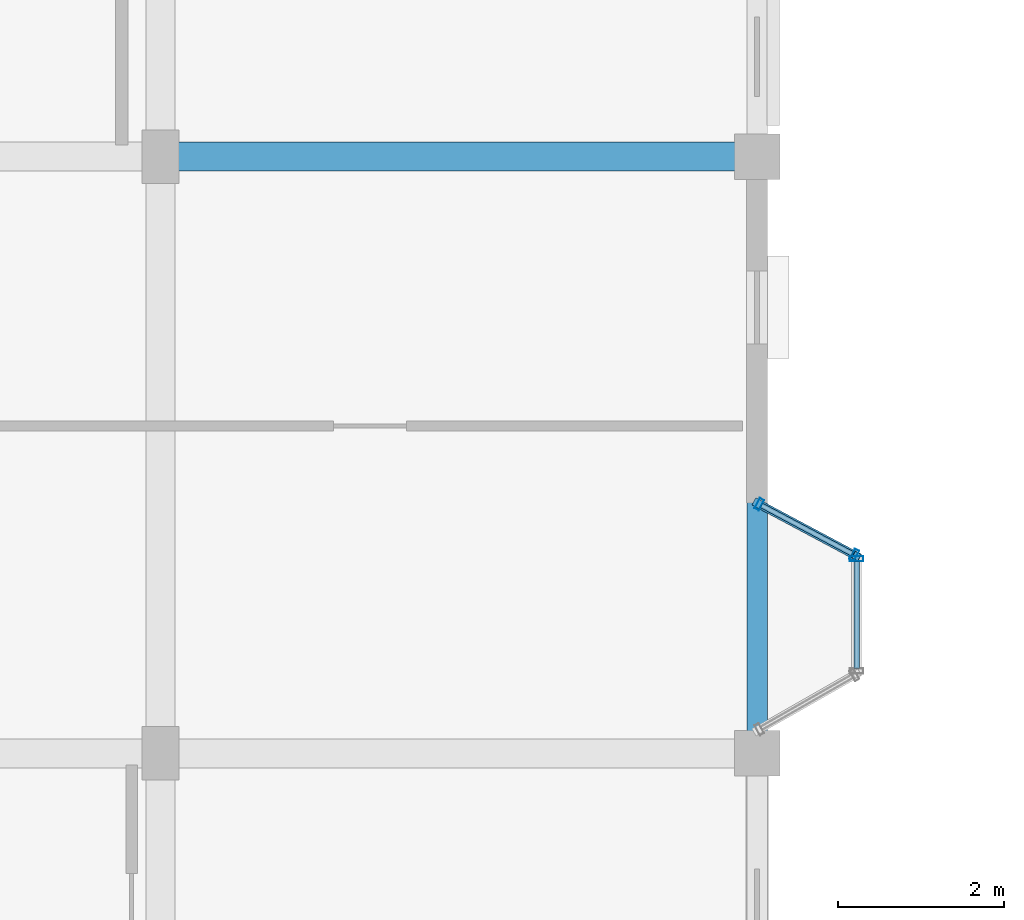
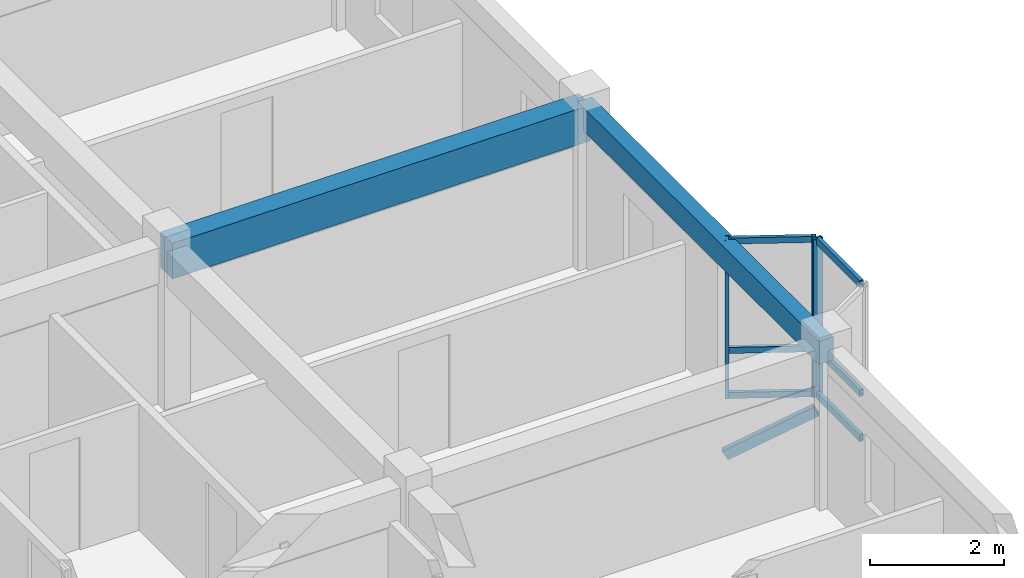
# One storey, part 11 of 77: 10 members, 2 beams, 2 elements without a shape of their own.
"""IFC4 building model written with IfcOpenShell, lengths in metres."""

from ifc_helpers import new_model, si_unit, direction, frame, origin, origin_2d, place, context, subcontext, project, spatial, rectangle, hollow_rectangle, extrude, material, layer, layer_set, material_profile, profile_set, type_object, element, aggregate, save


model = new_model("IFC4")

# Units and contexts
model_context = context("Model", 3, precision=1e-05, world=origin(), true_north=direction((0.0, 1.0)))
body_context = subcontext(model_context, "Body", "Model", "MODEL_VIEW")
ifc_project = project(units=[si_unit("LENGTHUNIT", "METRE"), si_unit("AREAUNIT", "SQUARE_METRE"), si_unit("VOLUMEUNIT", "CUBIC_METRE"), si_unit("PLANEANGLEUNIT", "RADIAN"), si_unit("MASSUNIT", "GRAM", prefix="KILO"), si_unit("THERMODYNAMICTEMPERATUREUNIT", "KELVIN"), si_unit("POWERUNIT", "WATT")], contexts=[model_context])

# Site, building, storey
site_placement = place(None, origin())
site = spatial("IfcSite", under=ifc_project, at=site_placement, CompositionType="ELEMENT")
building_placement = place(site_placement, origin())
building = spatial("IfcBuilding", under=site, at=building_placement, Name="Tavuni Mirador Residences", CompositionType="ELEMENT")
storey_placement = place(building_placement, frame((0.0, 0.0, 10.800048828125)))
storey = spatial("IfcBuildingStorey", under=building, at=storey_placement, Name="L03", CompositionType="ELEMENT", Elevation=10.800048828125)

# Beams
ifc_material_1 = material(Name="Precast concrete C40/50", Category="concrete")
ifc_material_profile_1 = material_profile(ifc_material_1, rectangle(XDim=0.35009765625, YDim=0.64990234375, at=origin_2d()), Name="PC 350x650", Category="concrete")
ifc_profile_set_1 = profile_set([ifc_material_profile_1], Name="Precast concrete C40/50")
beam_type_1 = type_object("IfcBeamType", Name="BT-B650", PredefinedType="BEAM", material=ifc_profile_set_1)
beam_1_placement = place(storey_placement, frame((25.199951171875, 28.800048828125, 2.544921875), z_axis=(1.0, 0.0, 0.0), x_axis=(0.0, 1.0, 0.0)))
element("IfcBeam", 1, at=beam_1_placement, inside=storey, type_object=beam_type_1, Name="BMX-BLK-A-L03-03-03", PredefinedType="BEAM", context=body_context, shape_type="SweptSolid", body=[
    extrude(rectangle(XDim=0.35009765625, YDim=0.64990234375, at=origin_2d()), origin(), (0.0, 0.0, 1.0), 7.199951171875),
])
ifc_material_profile_2 = material_profile(ifc_material_1, rectangle(XDim=0.25, YDim=0.419921875, at=origin_2d()), Name="PC 250x420", Category="concrete")
ifc_profile_set_2 = profile_set([ifc_material_profile_2], Name="Precast concrete C40/50")
beam_type_2 = type_object("IfcBeamType", Name="BT-SP420", PredefinedType="SPANDREL", material=ifc_profile_set_2)
beam_2_placement = place(storey_placement, frame((32.39990234375, 21.60009765625, 2.659912109375), z_axis=(0.0, 1.0, 0.0), x_axis=(-1.0, 0.0, 0.0)))
element("IfcBeam", 2, at=beam_2_placement, inside=storey, type_object=beam_type_2, Name="BMY-BLK-A-L03-04-02", PredefinedType="SPANDREL", context=body_context, shape_type="SweptSolid", body=[
    extrude(rectangle(XDim=0.25, YDim=0.419921875, at=origin_2d()), origin(), (0.0, 0.0, 1.0), 7.199951171875),
])

# Curtain wall, members
ifc_material_2 = material(Name="Anodised aluminium", Category="aluminium")
ifc_layer_1 = layer(ifc_material_2, 0.175048828125, Name="Anodised aluminium", Category="aluminium")
ifc_layer_set_1 = layer_set([ifc_layer_1], Name="Anodised aluminium")
curtain_wall_type_1 = type_object("IfcCurtainWallType", Name="CWT-MIR-C", PredefinedType="NOTDEFINED", material=ifc_layer_set_1)
curtain_wall_1_placement = place(storey_placement, origin())
curtain_wall_1 = element("IfcCurtainWall", 3, at=curtain_wall_1_placement, inside=storey, type_object=curtain_wall_type_1, Name="CW-MIR-A-E2-L03-M2", PredefinedType="NOTDEFINED")
ifc_material_profile_3 = material_profile(ifc_material_2, hollow_rectangle(XDim=0.06005859375, YDim=0.139892578125, WallThickness=0.00390625, at=origin_2d()), Name="ALU 60x140x4.0", Category="aluminium")
ifc_profile_set_3 = profile_set([ifc_material_profile_3], Name="Anodised aluminium")
member_type_1 = type_object("IfcMemberType", Name="CWM-140", PredefinedType="MULLION", material=ifc_profile_set_3)
member_1_placement = place(storey_placement, frame((33.573486328125, 23.994140625, 0.0), z_axis=(0.0, 0.0, 1.0), x_axis=(-0.882352941175, 0.470588235296, 0.0)))
member_1 = element("IfcMember", 4, at=member_1_placement, type_object=member_type_1, Name="CW-03 mullion 1", PredefinedType="MULLION", context=body_context, shape_type="SweptSolid", body=[
    extrude(hollow_rectangle(XDim=0.06005859375, YDim=0.139892578125, WallThickness=0.00390625, at=origin_2d()), origin(), (0.0, 0.0, 1.0), 2.869873046875),
])
member_2_placement = place(storey_placement, frame((32.426513671875, 24.60595703125, 0.0), z_axis=(0.0, 0.0, 1.0), x_axis=(-0.882352941175, 0.470588235296, 0.0)))
member_2 = element("IfcMember", 5, at=member_2_placement, type_object=member_type_1, Name="CW-03 mullion 2", PredefinedType="MULLION", context=body_context, shape_type="SweptSolid", body=[
    extrude(hollow_rectangle(XDim=0.06005859375, YDim=0.139892578125, WallThickness=0.00390625, at=origin_2d()), origin(), (0.0, 0.0, 1.0), 2.869873046875),
])

# Curtain wall, member
ifc_layer_2 = layer(ifc_material_2, 0.14990234375, Name="Anodised aluminium", Category="aluminium")
ifc_layer_set_2 = layer_set([ifc_layer_2], Name="Anodised aluminium")
curtain_wall_type_2 = type_object("IfcCurtainWallType", Name="CWT-MIR-B", PredefinedType="NOTDEFINED", material=ifc_layer_set_2)
curtain_wall_2_placement = place(storey_placement, origin())
curtain_wall_2 = element("IfcCurtainWall", 6, at=curtain_wall_2_placement, inside=storey, type_object=curtain_wall_type_2, Name="CW-MIR-A-E2-L03-MF", PredefinedType="NOTDEFINED")
ifc_material_profile_4 = material_profile(ifc_material_2, hollow_rectangle(XDim=0.06494140625, YDim=0.1650390625, WallThickness=0.00439453125, at=origin_2d()), Name="ALU 65x165x4.5", Category="aluminium")
ifc_profile_set_4 = profile_set([ifc_material_profile_4], Name="Anodised aluminium")
member_type_2 = type_object("IfcMemberType", Name="CWM-165", PredefinedType="MULLION", material=ifc_profile_set_4)
member_3_placement = place(storey_placement, frame((33.60009765625, 23.947509765625, 0.0), z_axis=(0.0, 0.0, 1.0), x_axis=(0.0, 1.0, 0.0)))
member_3 = element("IfcMember", 7, at=member_3_placement, type_object=member_type_2, Name="CW-02 mullion 2", PredefinedType="MULLION", context=body_context, shape_type="SweptSolid", body=[
    extrude(hollow_rectangle(XDim=0.06494140625, YDim=0.1650390625, WallThickness=0.00439453125, at=origin_2d()), origin(), (0.0, 0.0, 1.0), 2.869873046875),
])

# Member
ifc_material_profile_5 = material_profile(ifc_material_2, hollow_rectangle(XDim=0.06005859375, YDim=0.110107421875, WallThickness=0.00390625, at=origin_2d()), Name="ALU 60x110x4.0", Category="aluminium")
ifc_profile_set_5 = profile_set([ifc_material_profile_5], Name="Anodised aluminium")
member_type_3 = type_object("IfcMemberType", Name="CWT-110", PredefinedType="USERDEFINED", material=ifc_profile_set_5)
member_4_placement = place(storey_placement, frame((33.547119140625, 24.00830078125, 0.030029296875), z_axis=(-0.882385637708, 0.470526924168, 0.0), x_axis=(-0.470526924168, -0.882385637708, 0.0)))
member_4 = element("IfcMember", 8, at=member_4_placement, type_object=member_type_3, Name="CW-03 transom 1.1", ObjectType="TRANSOM", PredefinedType="USERDEFINED", context=body_context, shape_type="SweptSolid", body=[
    extrude(hollow_rectangle(XDim=0.06005859375, YDim=0.110107421875, WallThickness=0.00390625, at=origin_2d()), origin(), (0.0, 0.0, 1.0), 1.239990234375),
])

member_5_placement = place(storey_placement, frame((33.547119140625, 24.00830078125, 0.849853515625), z_axis=(-0.882385637708, 0.470526924168, 0.0), x_axis=(-0.470526924168, -0.882385637708, 0.0)))
member_5 = element("IfcMember", 9, at=member_5_placement, type_object=member_type_3, Name="CW-03 transom 1.2", ObjectType="TRANSOM", PredefinedType="USERDEFINED", context=body_context, shape_type="SweptSolid", body=[
    extrude(hollow_rectangle(XDim=0.06005859375, YDim=0.110107421875, WallThickness=0.00390625, at=origin_2d()), origin(), (0.0, 0.0, 1.0), 1.239990234375),
])

member_6_placement = place(storey_placement, frame((33.547119140625, 24.00830078125, 2.83984375), z_axis=(-0.882385637708, 0.470526924168, 0.0), x_axis=(-0.470526924168, -0.882385637708, 0.0)))
member_6 = element("IfcMember", 10, at=member_6_placement, type_object=member_type_3, Name="CW-03 transom 1.3", ObjectType="TRANSOM", PredefinedType="USERDEFINED", context=body_context, shape_type="SweptSolid", body=[
    extrude(hollow_rectangle(XDim=0.06005859375, YDim=0.110107421875, WallThickness=0.00390625, at=origin_2d()), origin(), (0.0, 0.0, 1.0), 1.239990234375),
])

aggregate(curtain_wall_1, [member_1, member_2, member_4, member_5, member_6])

ifc_material_profile_6 = material_profile(ifc_material_2, hollow_rectangle(XDim=0.06494140625, YDim=0.125, WallThickness=0.00439453125, at=origin_2d()), Name="ALU 65x125x4.5", Category="aluminium")
ifc_profile_set_6 = profile_set([ifc_material_profile_6], Name="Anodised aluminium")
member_type_4 = type_object("IfcMemberType", Name="CWT-125", PredefinedType="USERDEFINED", material=ifc_profile_set_6)
member_7_placement = place(storey_placement, frame((33.60009765625, 22.625, 0.032470703125), z_axis=(0.0, 1.0, 0.0), x_axis=(-1.0, 0.0, 0.0)))
member_7 = element("IfcMember", 11, at=member_7_placement, type_object=member_type_4, Name="CW-02 transom 1.1", ObjectType="TRANSOM", PredefinedType="USERDEFINED", context=body_context, shape_type="SweptSolid", body=[
    extrude(hollow_rectangle(XDim=0.06494140625, YDim=0.125, WallThickness=0.00439453125, at=origin_2d()), origin(), (0.0, 0.0, 1.0), 1.2900390625),
])

member_8_placement = place(storey_placement, frame((33.60009765625, 22.625, 0.849853515625), z_axis=(0.0, 1.0, 0.0), x_axis=(-1.0, 0.0, 0.0)))
member_8 = element("IfcMember", 12, at=member_8_placement, type_object=member_type_4, Name="CW-02 transom 1.2", ObjectType="TRANSOM", PredefinedType="USERDEFINED", context=body_context, shape_type="SweptSolid", body=[
    extrude(hollow_rectangle(XDim=0.06494140625, YDim=0.125, WallThickness=0.00439453125, at=origin_2d()), origin(), (0.0, 0.0, 1.0), 1.2900390625),
])

member_9_placement = place(storey_placement, frame((33.60009765625, 22.625, 2.83740234375), z_axis=(0.0, 1.0, 0.0), x_axis=(-1.0, 0.0, 0.0)))
member_9 = element("IfcMember", 13, at=member_9_placement, type_object=member_type_4, Name="CW-02 transom 1.3", ObjectType="TRANSOM", PredefinedType="USERDEFINED", context=body_context, shape_type="SweptSolid", body=[
    extrude(hollow_rectangle(XDim=0.06494140625, YDim=0.125, WallThickness=0.00439453125, at=origin_2d()), origin(), (0.0, 0.0, 1.0), 1.2900390625),
])

aggregate(curtain_wall_2, [member_3, member_7, member_8, member_9])

ifc_material_3 = material(Name="Structural steel S355", Category="steel")
ifc_material_profile_7 = material_profile(ifc_material_3, hollow_rectangle(XDim=0.10009765625, YDim=0.179931640625, WallThickness=0.008056640625, at=origin_2d()), Name="RHS 180x100x8.0", Category="steel")
ifc_profile_set_7 = profile_set([ifc_material_profile_7], Name="Structural steel S355")
member_type_5 = type_object("IfcMemberType", Name="MT-BR-RHS180", PredefinedType="BRACE", material=ifc_profile_set_7)
member_10_placement = place(storey_placement, frame((32.39990234375, 24.6201171875, -1.050048828125), z_axis=(0.767847080655, -0.409539268811, 0.492634192918), x_axis=(0.470606866739, 0.882343004153, 0.0)))
element("IfcMember", 14, at=member_10_placement, inside=storey, type_object=member_type_5, Name="MBRK-MIR-A-E2-L03-2", PredefinedType="BRACE", context=body_context, shape_type="SweptSolid", body=[
    extrude(hollow_rectangle(XDim=0.10009765625, YDim=0.179931640625, WallThickness=0.008056640625, at=origin_2d()), origin(), (0.0, 0.0, 1.0), 1.56298828125),
])

save(model, "model.ifc")
